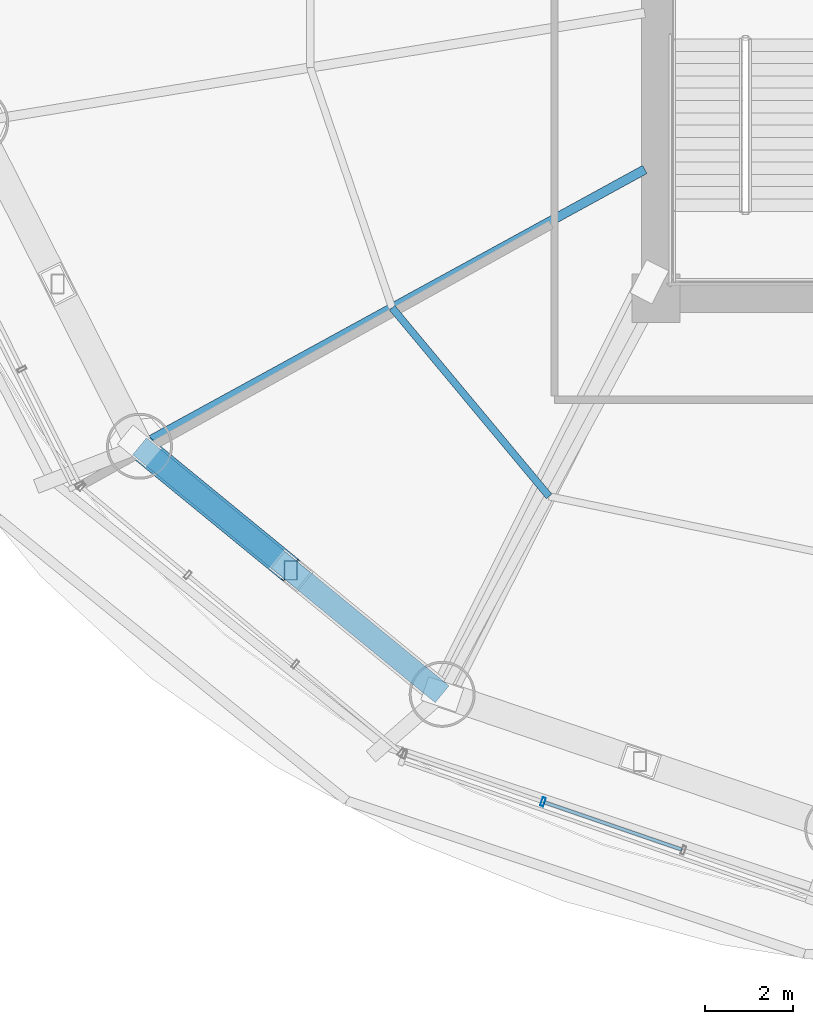
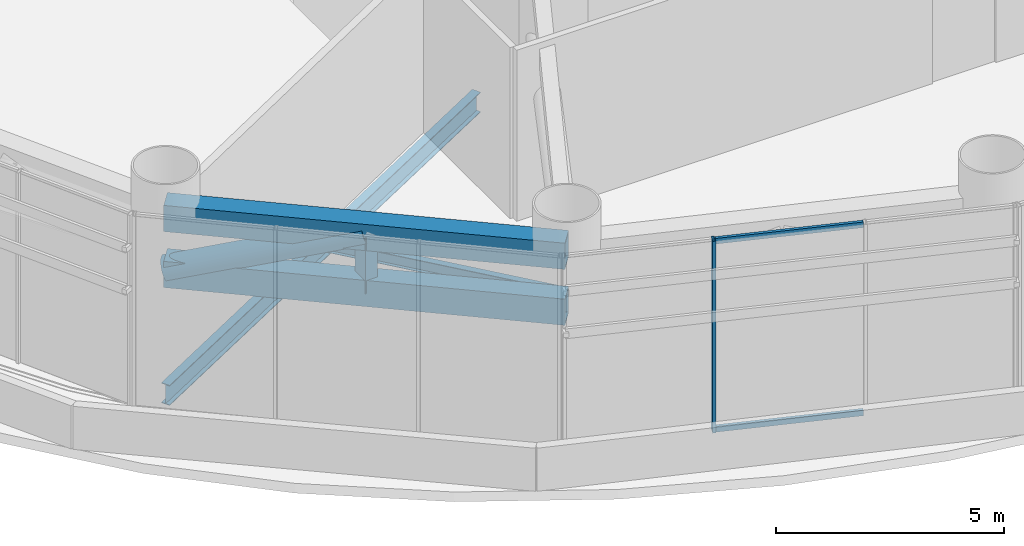
# One storey, part 4 of 33: 7 members, 2 beams, 1 element without a shape of its own.
"""IFC4 building model written with IfcOpenShell, lengths in metres."""

from ifc_helpers import new_model, si_unit, direction, frame, origin, origin_2d, place, context, subcontext, project, spatial, hollow_rectangle, hollow_circle, i_section, extrude, source, transform, mapped, material, material_profile, profile_set, type_object, element, aggregate, save


model = new_model("IFC4")

# Units and contexts
model_context = context("Model", 3, precision=1e-05, world=origin(), true_north=direction((-0.2419218956, 0.970295726276)))
body_context = subcontext(model_context, "Body", "Model", "MODEL_VIEW")
ifc_project = project(units=[si_unit("LENGTHUNIT", "METRE"), si_unit("AREAUNIT", "SQUARE_METRE"), si_unit("VOLUMEUNIT", "CUBIC_METRE"), si_unit("PLANEANGLEUNIT", "RADIAN"), si_unit("MASSUNIT", "GRAM", prefix="KILO")], contexts=[model_context])

# Site, building, storey
site_placement = place(None, origin())
site = spatial("IfcSite", under=ifc_project, at=site_placement, CompositionType="ELEMENT")
building_placement = place(site_placement, origin())
building = spatial("IfcBuilding", under=site, at=building_placement, Name="Cobrevalo Terracotta Tower", CompositionType="ELEMENT")
storey_placement = place(building_placement, frame((0.0, 0.0, 74.39990234375)))
storey = spatial("IfcBuildingStorey", under=building, at=storey_placement, Name="L19", CompositionType="ELEMENT", Elevation=74.39990234375)

# Beams
ifc_material_1 = material(Name="Steel S355", Category="steel")
ifc_material_profile_1 = material_profile(ifc_material_1, i_section(OverallWidth=0.2109375, OverallDepth=0.5390625, WebThickness=0.01171875, FlangeThickness=0.018798828125, at=origin_2d()), Name="W 530x109")
ifc_profile_set_1 = profile_set([ifc_material_profile_1], Name="Steel S355")
beam_type_1 = type_object("IfcBeamType", Name="Structural Beam W 530x109 (Steel S355)", PredefinedType="BEAM", material=ifc_profile_set_1)
beam_1_placement = place(storey_placement, frame((17.2548828125, 15.4384765625, -0.719482421875), z_axis=(0.877073835693, 0.480355583648, 0.0), x_axis=(-0.480355583648, 0.877073835693, 0.0)))
element("IfcBeam", 1, at=beam_1_placement, inside=storey, type_object=beam_type_1, Name="L19 radial floor girder 10", PredefinedType="BEAM", context=body_context, shape_type="SweptSolid", body=[
    extrude(i_section(OverallWidth=0.2109375, OverallDepth=0.5390625, WebThickness=0.01171875, FlangeThickness=0.018798828125, at=origin_2d()), origin(), (0.0, 0.0, 1.0), 13.1005859375),
])
ifc_material_profile_2 = material_profile(ifc_material_1, i_section(OverallWidth=0.1650390625, OverallDepth=0.31005859375, WebThickness=0.005859375, FlangeThickness=0.009765625, at=origin_2d()), Name="W 310x38.7")
ifc_profile_set_2 = profile_set([ifc_material_profile_2], Name="Steel S355")
beam_type_2 = type_object("IfcBeamType", Name="Structural Joist W 310x38.7 (Steel S355)", PredefinedType="JOIST", material=ifc_profile_set_2)
beam_2_placement = place(storey_placement, frame((23.0, 18.5849609375, -0.60498046875), z_axis=(0.639882999398, -0.768472346335, 0.0), x_axis=(0.768472346335, 0.639882999398, 0.0)))
element("IfcBeam", 2, at=beam_2_placement, inside=storey, type_object=beam_type_2, Name="L19 circumferential secondary floor joist 10", PredefinedType="JOIST", context=body_context, shape_type="SweptSolid", body=[
    extrude(i_section(OverallWidth=0.1650390625, OverallDepth=0.31005859375, WebThickness=0.005859375, FlangeThickness=0.009765625, at=origin_2d()), origin(), (0.0, 0.0, 1.0), 5.578125),
])

# Members
ifc_material_profile_3 = material_profile(ifc_material_1, hollow_rectangle(XDim=0.300048828125, YDim=0.449951171875, WallThickness=0.02001953125, at=origin_2d()), Name="RHS 450x300x20")
ifc_profile_set_3 = profile_set([ifc_material_profile_3], Name="Steel S355")
member_type_1 = type_object("IfcMemberType", Name="Steel Post RHS 450x300x20 (Steel S355)", PredefinedType="POST", material=ifc_profile_set_3)
shared_shape_1 = source(origin(), body_context, "Body", "SweptSolid", [
    extrude(hollow_rectangle(XDim=0.300048828125, YDim=0.449951171875, WallThickness=0.02001953125, at=origin_2d()), origin(), (0.0, 0.0, 1.0), 1.494873046875),
])
member_1_placement = place(storey_placement, frame((20.69677734375, 12.617431640625, 2.650146484375), z_axis=(0.0, 0.0, 1.0), x_axis=(1.0, 0.0, 0.0)))
element("IfcMember", 3, at=member_1_placement, inside=storey, type_object=member_type_1, Name="L19 belt truss post 10", PredefinedType="POST", context=body_context, shape_type="MappedRepresentation", body=[
    mapped(shared_shape_1, transform((0.0, 0.0, 0.0), scale=1.0)),
])
ifc_material_profile_4 = material_profile(ifc_material_1, hollow_rectangle(XDim=0.5, YDim=0.699951171875, WallThickness=0.031982421875, at=origin_2d()), Name="RHS 700x500x32")
ifc_profile_set_4 = profile_set([ifc_material_profile_4], Name="Steel S355")
member_type_2 = type_object("IfcMemberType", Name="Steel Chord RHS 700x500x32 (Steel S355)", PredefinedType="CHORD", material=ifc_profile_set_4)
shared_shape_2 = source(origin(), body_context, "Body", "SweptSolid", [
    extrude(hollow_rectangle(XDim=0.5, YDim=0.699951171875, WallThickness=0.031982421875, at=origin_2d()), origin(), (0.0, 0.0, 1.0), 8.900390625),
])
for number, where, z_axis, x_axis, name in (
    (4, (17.2548828125, 15.4384765625, 2.650146484375), (0.773400923541, -0.633917196064, 0.0), (0.633917196064, 0.773400923541, 0.0), "L19 belt truss chord 10-BC"),
    (5, (17.2548828125, 15.4384765625, 4.14501953125), (0.773400923541, -0.633917196064, 0.0), (0.633917196064, 0.773400923541, 0.0), "L19 belt truss chord 10-TC"),
):
    element("IfcMember", number, at=place(storey_placement, frame(where, z_axis=z_axis, x_axis=x_axis)), inside=storey, type_object=member_type_2, Name=name, PredefinedType="CHORD", context=body_context, shape_type="MappedRepresentation", body=[
        mapped(shared_shape_2, transform((0.0, 0.0, 0.0), scale=1.0)),
    ])
ifc_material_profile_5 = material_profile(ifc_material_1, hollow_circle(Radius=0.304931640625, WallThickness=0.02490234375, at=origin_2d()), Name="CHS 610x25")
ifc_profile_set_5 = profile_set([ifc_material_profile_5], Name="Steel S355")
member_type_3 = type_object("IfcMemberType", Name="Steel Brace CHS 610x25 (Steel S355)", PredefinedType="BRACE", material=ifc_profile_set_5)
shared_shape_3 = source(origin(), body_context, "Body", "SweptSolid", [
    extrude(hollow_circle(Radius=0.304931640625, WallThickness=0.02490234375, at=origin_2d()), origin(), (0.0, 0.0, 1.0), 4.694580078125),
])
member_2_placement = place(storey_placement, frame((17.2548828125, 15.4384765625, 2.650146484375), z_axis=(0.733155205541, -0.600908526034, 0.318421713969), x_axis=(0.633903747879, 0.773411946136, 0.0)))
element("IfcMember", 6, at=member_2_placement, inside=storey, type_object=member_type_3, Name="L19 belt truss diagonal brace 10-D1", PredefinedType="BRACE", context=body_context, shape_type="MappedRepresentation", body=[
    mapped(shared_shape_3, transform((0.0, 0.0, 0.0), scale=1.0)),
])

# Curtain wall, members
ifc_material_2 = material(Name="Anodized aluminium", Category="aluminium")
curtain_wall_type = type_object("IfcCurtainWallType", Name="Belt-truss plant acoustic weather-louvre curtain wall CW-LV", PredefinedType="NOTDEFINED", material=ifc_material_2)
curtain_wall_placement = place(storey_placement, origin())
curtain_wall = element("IfcCurtainWall", 7, at=curtain_wall_placement, inside=storey, type_object=curtain_wall_type, Name="L19 curtain wall CW-LV-L19-S11", PredefinedType="NOTDEFINED")
ifc_material_profile_6 = material_profile(ifc_material_2, hollow_rectangle(XDim=0.074951171875, YDim=0.199951171875, WallThickness=0.0048828125, at=origin_2d()), Name="CWM 75x200")
ifc_profile_set_6 = profile_set([ifc_material_profile_6], Name="Anodized aluminium")
member_type_4 = type_object("IfcMemberType", Name="Lower/mid tower unitised mullion 75x200", PredefinedType="MULLION", material=ifc_profile_set_6)
shared_shape_4 = source(origin(), body_context, "Body", "SweptSolid", [
    extrude(hollow_rectangle(XDim=0.074951171875, YDim=0.199951171875, WallThickness=0.0048828125, at=origin_2d()), origin(), (0.0, 0.0, 1.0), 5.125),
])
member_3_placement = place(storey_placement, frame((26.43115234375, 7.35107421875, 0.0), z_axis=(0.0, 0.0, 1.0), x_axis=(0.94559809868, -0.325337110968, 0.0)))
member_3 = element("IfcMember", 8, at=member_3_placement, type_object=member_type_4, Name="CW-LV-L19-S11 vertical mullion 02", PredefinedType="MULLION", context=body_context, shape_type="MappedRepresentation", body=[
    mapped(shared_shape_4, transform((0.0, 0.0, 0.0), scale=1.0)),
])
ifc_material_profile_7 = material_profile(ifc_material_2, hollow_rectangle(XDim=0.074951171875, YDim=0.14990234375, WallThickness=0.00439453125, at=origin_2d()), Name="CWT 75x150")
ifc_profile_set_7 = profile_set([ifc_material_profile_7], Name="Anodized aluminium")
member_type_5 = type_object("IfcMemberType", Name="Tower unitised aluminium transom 75x150", PredefinedType="USERDEFINED", material=ifc_profile_set_7)
shared_shape_5 = source(origin(), body_context, "Body", "SweptSolid", [
    extrude(hollow_rectangle(XDim=0.074951171875, YDim=0.14990234375, WallThickness=0.00439453125, at=origin_2d()), origin(), (0.0, 0.0, 1.0), 3.296142578125),
])
member_4_placement = place(storey_placement, frame((26.468994140625, 7.337890625, 0.050048828125), z_axis=(0.94561043661, -0.325301248343, 0.0), x_axis=(0.325301248343, 0.94561043661, 0.0)))
member_4 = element("IfcMember", 9, at=member_4_placement, type_object=member_type_5, Name="CW-LV-L19-S11 transom B02-T1", ObjectType="TRANSOM", PredefinedType="USERDEFINED", context=body_context, shape_type="MappedRepresentation", body=[
    mapped(shared_shape_5, transform((0.0, 0.0, 0.0), scale=1.0)),
])
member_5_placement = place(storey_placement, frame((26.468994140625, 7.337890625, 5.0751953125), z_axis=(0.94561043661, -0.325301248343, 0.0), x_axis=(0.325301248343, 0.94561043661, 0.0)))
member_5 = element("IfcMember", 10, at=member_5_placement, type_object=member_type_5, Name="CW-LV-L19-S11 transom B02-T2", ObjectType="TRANSOM", PredefinedType="USERDEFINED", context=body_context, shape_type="MappedRepresentation", body=[
    mapped(shared_shape_5, transform((0.0, 0.0, 0.0), scale=1.0)),
])
aggregate(curtain_wall, [member_3, member_4, member_5])

save(model, "model.ifc")
